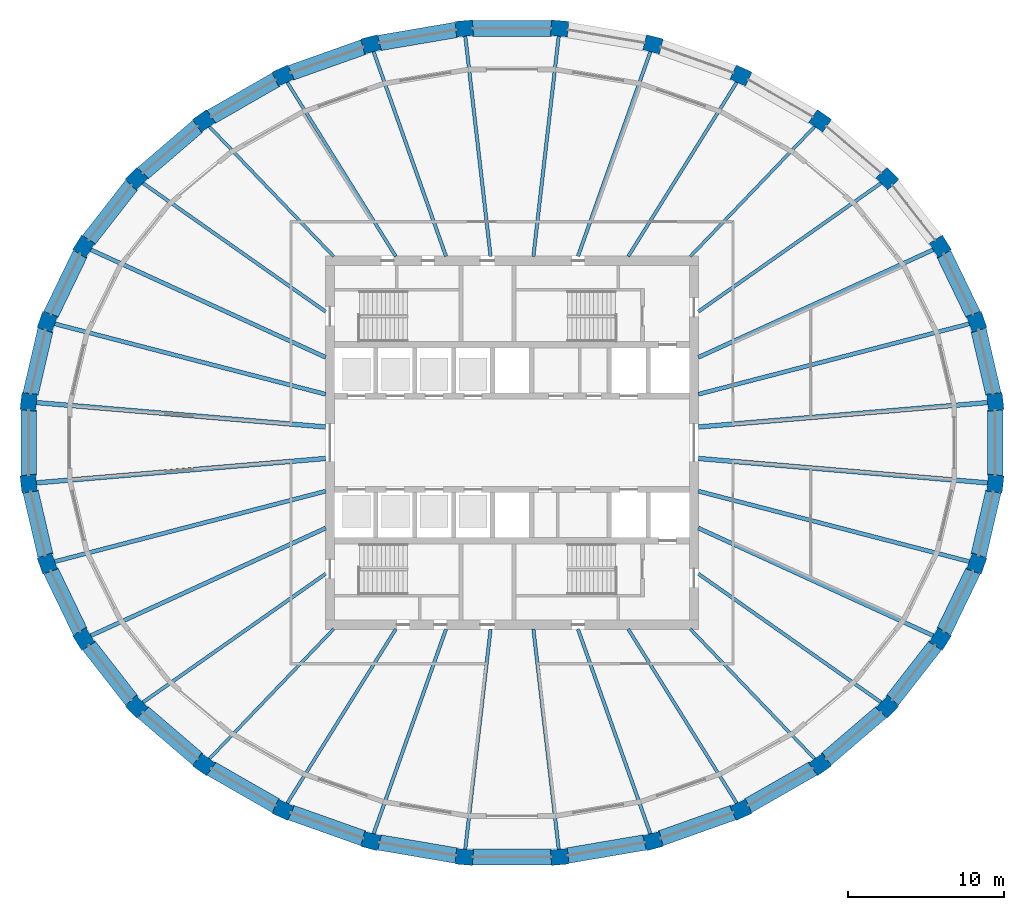
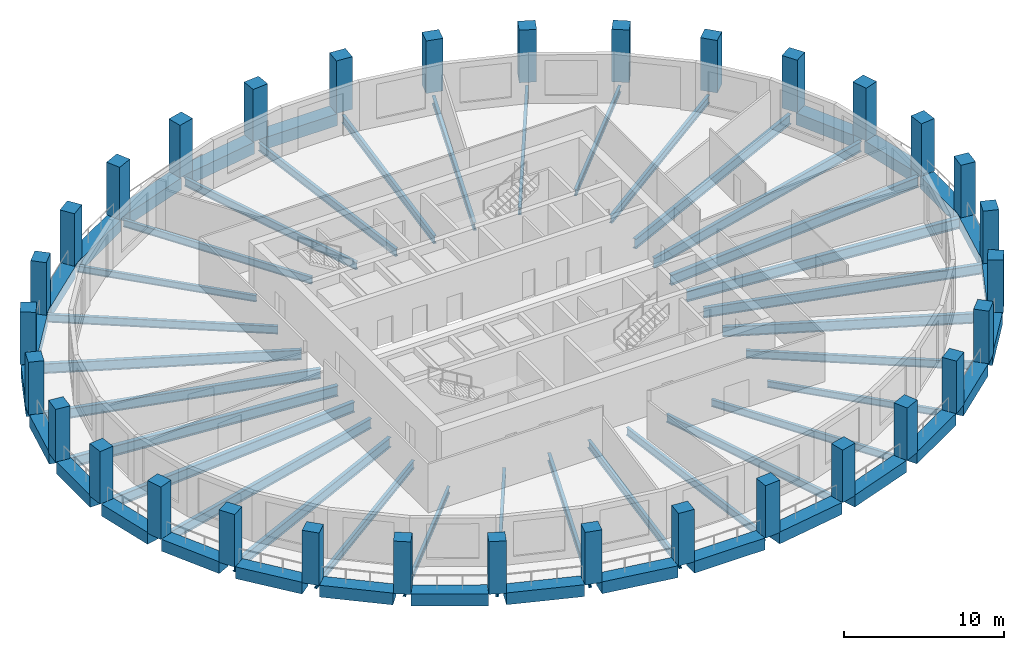
# One storey, part 1 of 10: 59 beams, 32 columns.
"""IFC4 building model written with IfcOpenShell, lengths in metres."""

from ifc_helpers import new_model, si_unit, direction, frame, origin, origin_2d, place, context, subcontext, project, spatial, rectangle, i_section, extrude, material, material_profile, profile_set, type_object, element, save


model = new_model("IFC4")

# Units and contexts
model_context = context("Model", 3, precision=1e-05, world=origin(), true_north=direction((0.0, 1.0)))
body_context = subcontext(model_context, "Body", "Model", "MODEL_VIEW")
ifc_project = project(units=[si_unit("LENGTHUNIT", "METRE"), si_unit("AREAUNIT", "SQUARE_METRE"), si_unit("VOLUMEUNIT", "CUBIC_METRE"), si_unit("PLANEANGLEUNIT", "RADIAN"), si_unit("MASSUNIT", "GRAM", prefix="KILO")], contexts=[model_context])

# Site, building, storey
site_placement = place(None, origin())
site = spatial("IfcSite", under=ifc_project, at=site_placement, CompositionType="ELEMENT")
building_placement = place(site_placement, origin())
building = spatial("IfcBuilding", under=site, at=building_placement, Name="Halqa Exchange Tower", CompositionType="ELEMENT")
storey_placement = place(building_placement, frame((0.0, 0.0, 238.89990234375)))
storey = spatial("IfcBuildingStorey", under=building, at=storey_placement, Name="L55", CompositionType="ELEMENT", Elevation=238.89990234375)

# Columns
ifc_material_1 = material(Name="Concrete C60/75", Category="concrete")
ifc_material_profile_1 = material_profile(ifc_material_1, rectangle(XDim=1.10009765625, YDim=1.0, at=origin_2d()), Name="1100 x 1000")
ifc_profile_set_1 = profile_set([ifc_material_profile_1], Name="Concrete C60/75")
column_type = type_object("IfcColumnType", Name="RC ring column 1100 x 1000 C60/75", PredefinedType="COLUMN", material=ifc_profile_set_1)
for number, where, z_axis, x_axis, name in (
    (1, (31.060302734375, 2.6220703125, 0.0), (0.0, 0.0, 1.0), (-0.114153454138, 0.993463129114, 0.0), "Ring column 1"),
    (2, (29.86669921875, 7.765625, 0.0), (0.0, 0.0, 1.0), (-0.333624233576, 0.942706142321, 0.0), "Ring column 2"),
    (3, (27.525146484375, 12.61083984375, 0.0), (0.0, 0.0, 1.0), (-0.529147901095, 0.848529609835, 0.0), "Ring column 3"),
    (4, (24.1259765625, 16.97119140625, 0.0), (0.0, 0.0, 1.0), (-0.691578612608, 0.722301199351, 0.0), "Ring column 4"),
    (5, (19.7998046875, 20.679443359375, 0.0), (0.0, 0.0, 1.0), (-0.817904771313, 0.575353617407, 0.0), "Ring column 5"),
    (6, (14.71240234375, 23.593017578125, 0.0), (0.0, 0.0, 1.0), (-0.909125641902, 0.416521988898, 0.0), "Ring column 6"),
    (7, (9.059814453125, 25.60009765625, 0.0), (0.0, 0.0, 1.0), (-0.967819503571, 0.251645402317, 0.0), "Ring column 7"),
    (8, (3.05908203125, 26.623046875, 0.0), (0.0, 0.0, 1.0), (-0.996455518985, 0.084121333105, 0.0), "Ring column 8"),
    (9, (-3.05908203125, 26.623046875, 0.0), (0.0, 0.0, 1.0), (-0.996455518985, -0.084121333105, 0.0), "Ring column 9"),
    (10, (-9.059814453125, 25.60009765625, 0.0), (0.0, 0.0, 1.0), (-0.967819503571, -0.251645402317, 0.0), "Ring column 10"),
    (11, (-14.71240234375, 23.593017578125, 0.0), (0.0, 0.0, 1.0), (-0.909125641902, -0.416521988898, 0.0), "Ring column 11"),
    (12, (-19.7998046875, 20.679443359375, 0.0), (0.0, 0.0, 1.0), (-0.817904771313, -0.575353617407, 0.0), "Ring column 12"),
    (13, (-24.1259765625, 16.97119140625, 0.0), (0.0, 0.0, 1.0), (-0.691578612608, -0.722301199351, 0.0), "Ring column 13"),
    (14, (-27.525146484375, 12.61083984375, 0.0), (0.0, 0.0, 1.0), (-0.529147901095, -0.848529609835, 0.0), "Ring column 14"),
    (15, (-29.86669921875, 7.765625, 0.0), (0.0, 0.0, 1.0), (-0.333624233576, -0.942706142321, 0.0), "Ring column 15"),
    (16, (-31.060302734375, 2.6220703125, 0.0), (0.0, 0.0, 1.0), (-0.114153454138, -0.993463129114, 0.0), "Ring column 16"),
    (17, (-31.060302734375, -2.6220703125, 0.0), (0.0, 0.0, 1.0), (0.114153454138, -0.993463129114, 0.0), "Ring column 17"),
    (18, (-29.86669921875, -7.765625, 0.0), (0.0, 0.0, 1.0), (0.333624233576, -0.942706142321, 0.0), "Ring column 18"),
    (19, (-27.525146484375, -12.61083984375, 0.0), (0.0, 0.0, 1.0), (0.529147901095, -0.848529609835, 0.0), "Ring column 19"),
    (20, (-24.1259765625, -16.97119140625, 0.0), (0.0, 0.0, 1.0), (0.691578612608, -0.722301199351, 0.0), "Ring column 20"),
    (21, (-19.7998046875, -20.679443359375, 0.0), (0.0, 0.0, 1.0), (0.817904771313, -0.575353617407, 0.0), "Ring column 21"),
    (22, (-14.71240234375, -23.593017578125, 0.0), (0.0, 0.0, 1.0), (0.909125641902, -0.416521988898, 0.0), "Ring column 22"),
    (23, (-9.059814453125, -25.60009765625, 0.0), (0.0, 0.0, 1.0), (0.967819503571, -0.251645402317, 0.0), "Ring column 23"),
    (24, (-3.05908203125, -26.623046875, 0.0), (0.0, 0.0, 1.0), (0.996455518985, -0.084121333105, 0.0), "Ring column 24"),
    (25, (3.05908203125, -26.623046875, 0.0), (0.0, 0.0, 1.0), (0.996455518985, 0.084121333105, 0.0), "Ring column 25"),
    (26, (9.059814453125, -25.60009765625, 0.0), (0.0, 0.0, 1.0), (0.967819503571, 0.251645402317, 0.0), "Ring column 26"),
    (27, (14.71240234375, -23.593017578125, 0.0), (0.0, 0.0, 1.0), (0.909125641902, 0.416521988898, 0.0), "Ring column 27"),
    (28, (19.7998046875, -20.679443359375, 0.0), (0.0, 0.0, 1.0), (0.817904771313, 0.575353617407, 0.0), "Ring column 28"),
    (29, (24.1259765625, -16.97119140625, 0.0), (0.0, 0.0, 1.0), (0.691578612608, 0.722301199351, 0.0), "Ring column 29"),
    (30, (27.525146484375, -12.61083984375, 0.0), (0.0, 0.0, 1.0), (0.529147901095, 0.848529609835, 0.0), "Ring column 30"),
    (31, (29.86669921875, -7.765625, 0.0), (0.0, 0.0, 1.0), (0.333624233576, 0.942706142321, 0.0), "Ring column 31"),
    (32, (31.060302734375, -2.6220703125, 0.0), (0.0, 0.0, 1.0), (0.114153454138, 0.993463129114, 0.0), "Ring column 32"),
):
    element("IfcColumn", number, at=place(storey_placement, frame(where, z_axis=z_axis, x_axis=x_axis)), inside=storey, type_object=column_type, Name=name, PredefinedType="COLUMN", context=body_context, shape_type="SweptSolid", body=[
        extrude(rectangle(XDim=1.10009765625, YDim=1.0, at=origin_2d()), origin(), (0.0, 0.0, 1.0), 4.0),
    ])

# Beams
ifc_material_2 = material(Name="Steel S355", Category="steel")
ifc_material_profile_2 = material_profile(ifc_material_2, i_section(OverallWidth=0.300048828125, OverallDepth=0.7900390625, WebThickness=0.014892578125, FlangeThickness=0.028076171875, FilletRadius=0.030029296875, at=origin_2d()), Name="HEA 800")
ifc_profile_set_2 = profile_set([ifc_material_profile_2], Name="Steel S355")
beam_type_1 = type_object("IfcBeamType", Name="Floor beam HEA 800", PredefinedType="BEAM", material=ifc_profile_set_2)
for number, where, z_axis, x_axis, name in (
    (33, (11.972412109375, 1.0107421875, -0.69482421875), (0.996455630381, 0.084120013563, 0.0), (-0.084120013563, 0.996455630381, 0.0), "Radial beam 1"),
    (34, (-11.972412109375, 1.0107421875, -0.69482421875), (-0.996455630381, 0.084120013563, 0.0), (-0.084120013563, -0.996455630381, 0.0), "Radial beam 16"),
    (35, (-11.972412109375, -1.0107421875, -0.69482421875), (-0.996455630381, -0.084120013563, 0.0), (0.084120013563, -0.996455630381, 0.0), "Radial beam 17"),
    (36, (11.972412109375, -1.0107421875, -0.69482421875), (0.996455630381, -0.084120013563, 0.0), (0.084120013563, 0.996455630381, 0.0), "Radial beam 32"),
):
    element("IfcBeam", number, at=place(storey_placement, frame(where, z_axis=z_axis, x_axis=x_axis)), inside=storey, type_object=beam_type_1, Name=name, PredefinedType="BEAM", context=body_context, shape_type="SweptSolid", body=[
        extrude(i_section(OverallWidth=0.300048828125, OverallDepth=0.7900390625, WebThickness=0.014892578125, FlangeThickness=0.028076171875, FilletRadius=0.030029296875, at=origin_2d()), origin(), (0.0, 0.0, 1.0), 18.78369140625),
    ])
ifc_material_profile_3 = material_profile(ifc_material_2, i_section(OverallWidth=0.199951171875, OverallDepth=0.5, WebThickness=0.01025390625, FlangeThickness=0.01611328125, FilletRadius=0.02099609375, at=origin_2d()), Name="IPE 500")
ifc_profile_set_3 = profile_set([ifc_material_profile_3], Name="Steel S355")
beam_type_2 = type_object("IfcBeamType", Name="Floor beam IPE 500", PredefinedType="BEAM", material=ifc_profile_set_3)
for number, where, z_axis, x_axis, name in (
    (37, (11.46337890625, 11.972900390625, -0.5498046875), (0.691584726841, 0.722295345133, 0.0), (-0.722295345133, 0.691584726841, 0.0), "Radial beam 5"),
    (38, (-11.46337890625, 11.972900390625, -0.5498046875), (-0.691584726841, 0.722295345133, 0.0), (-0.722295345133, -0.691584726841, 0.0), "Radial beam 12"),
    (39, (-11.46337890625, -11.972900390625, -0.5498046875), (-0.691584726841, -0.722295345133, 0.0), (0.722295345133, -0.691584726841, 0.0), "Radial beam 21"),
    (40, (11.46337890625, -11.972900390625, -0.5498046875), (0.691584726841, -0.722295345133, 0.0), (0.722295345133, 0.691584726841, 0.0), "Radial beam 28"),
):
    element("IfcBeam", number, at=place(storey_placement, frame(where, z_axis=z_axis, x_axis=x_axis)), inside=storey, type_object=beam_type_2, Name=name, PredefinedType="BEAM", context=body_context, shape_type="SweptSolid", body=[
        extrude(i_section(OverallWidth=0.199951171875, OverallDepth=0.5, WebThickness=0.01025390625, FlangeThickness=0.01611328125, FilletRadius=0.02099609375, at=origin_2d()), origin(), (0.0, 0.0, 1.0), 11.67822265625),
    ])
ifc_material_profile_4 = material_profile(ifc_material_2, i_section(OverallWidth=0.2099609375, OverallDepth=0.550048828125, WebThickness=0.010986328125, FlangeThickness=0.01708984375, FilletRadius=0.02392578125, at=origin_2d()), Name="IPE 550")
ifc_profile_set_4 = profile_set([ifc_material_profile_4], Name="Steel S355")
beam_type_3 = type_object("IfcBeamType", Name="Floor beam IPE 550", PredefinedType="BEAM", material=ifc_profile_set_4)
for number, where, z_axis, x_axis, name in (
    (41, (7.46533203125, 11.971435546875, -0.574951171875), (0.529128772744, 0.848541538084, 0.0), (-0.848541538084, 0.529128772744, 0.0), "Radial beam 6"),
    (42, (-7.46533203125, 11.971435546875, -0.574951171875), (-0.529128772744, 0.848541538084, 0.0), (-0.848541538084, -0.529128772744, 0.0), "Radial beam 11"),
    (43, (-7.46533203125, -11.971435546875, -0.574951171875), (-0.529128772744, -0.848541538084, 0.0), (0.848541538084, -0.529128772744, 0.0), "Radial beam 22"),
    (44, (7.46533203125, -11.971435546875, -0.574951171875), (0.529128772744, -0.848541538084, 0.0), (0.848541538084, 0.529128772744, 0.0), "Radial beam 27"),
):
    element("IfcBeam", number, at=place(storey_placement, frame(where, z_axis=z_axis, x_axis=x_axis)), inside=storey, type_object=beam_type_3, Name=name, PredefinedType="BEAM", context=body_context, shape_type="SweptSolid", body=[
        extrude(i_section(OverallWidth=0.2099609375, OverallDepth=0.550048828125, WebThickness=0.010986328125, FlangeThickness=0.01708984375, FilletRadius=0.02392578125, at=origin_2d()), origin(), (0.0, 0.0, 1.0), 13.320068359375),
    ])
ifc_material_profile_5 = material_profile(ifc_material_2, i_section(OverallWidth=0.219970703125, OverallDepth=0.60009765625, WebThickness=0.011962890625, FlangeThickness=0.01904296875, FilletRadius=0.02392578125, at=origin_2d()), Name="IPE 600")
ifc_profile_set_5 = profile_set([ifc_material_profile_5], Name="Steel S355")
beam_type_4 = type_object("IfcBeamType", Name="Floor beam IPE 600", PredefinedType="BEAM", material=ifc_profile_set_5)
beam_1_placement = place(storey_placement, frame((11.972412109375, 8.421875, -0.599853515625), z_axis=(0.817910421288, 0.575345585495, 0.0), x_axis=(-0.575345585495, 0.817910421288, 0.0)))
element("IfcBeam", 45, at=beam_1_placement, inside=storey, type_object=beam_type_4, Name="Radial beam 4", PredefinedType="BEAM", context=body_context, shape_type="SweptSolid", body=[
    extrude(i_section(OverallWidth=0.219970703125, OverallDepth=0.60009765625, WebThickness=0.011962890625, FlangeThickness=0.01904296875, FilletRadius=0.02392578125, at=origin_2d()), origin(), (0.0, 0.0, 1.0), 14.4833984375),
])
beam_2_placement = place(storey_placement, frame((4.23681640625, 11.9716796875, -0.599853515625), z_axis=(0.333623449979, 0.942706419637, 0.0), x_axis=(-0.942706419637, 0.333623449979, 0.0)))
element("IfcBeam", 46, at=beam_2_placement, inside=storey, type_object=beam_type_4, Name="Radial beam 7", PredefinedType="BEAM", context=body_context, shape_type="SweptSolid", body=[
    extrude(i_section(OverallWidth=0.219970703125, OverallDepth=0.60009765625, WebThickness=0.011962890625, FlangeThickness=0.01904296875, FilletRadius=0.02392578125, at=origin_2d()), origin(), (0.0, 0.0, 1.0), 14.08251953125),
])
for number, where, z_axis, x_axis, name in (
    (47, (1.375732421875, 11.972412109375, -0.599853515625), (0.114147707136, 0.993463789454, 0.0), (-0.993463789454, 0.114147707136, 0.0), "Radial beam 8"),
    (48, (-1.375732421875, 11.972412109375, -0.599853515625), (-0.114147707136, 0.993463789454, 0.0), (-0.993463789454, -0.114147707136, 0.0), "Radial beam 9"),
):
    element("IfcBeam", number, at=place(storey_placement, frame(where, z_axis=z_axis, x_axis=x_axis)), inside=storey, type_object=beam_type_4, Name=name, PredefinedType="BEAM", context=body_context, shape_type="SweptSolid", body=[
        extrude(i_section(OverallWidth=0.219970703125, OverallDepth=0.60009765625, WebThickness=0.011962890625, FlangeThickness=0.01904296875, FilletRadius=0.02392578125, at=origin_2d()), origin(), (0.0, 0.0, 1.0), 14.375),
    ])
beam_3_placement = place(storey_placement, frame((-4.23681640625, 11.9716796875, -0.599853515625), z_axis=(-0.333623449979, 0.942706419637, 0.0), x_axis=(-0.942706419637, -0.333623449979, 0.0)))
element("IfcBeam", 49, at=beam_3_placement, inside=storey, type_object=beam_type_4, Name="Radial beam 10", PredefinedType="BEAM", context=body_context, shape_type="SweptSolid", body=[
    extrude(i_section(OverallWidth=0.219970703125, OverallDepth=0.60009765625, WebThickness=0.011962890625, FlangeThickness=0.01904296875, FilletRadius=0.02392578125, at=origin_2d()), origin(), (0.0, 0.0, 1.0), 14.08251953125),
])
for number, where, z_axis, x_axis, name in (
    (50, (-11.972412109375, 8.421875, -0.599853515625), (-0.817910421288, 0.575345585495, 0.0), (-0.575345585495, -0.817910421288, 0.0), "Radial beam 13"),
    (51, (-11.972412109375, -8.421875, -0.599853515625), (-0.817910421288, -0.575345585495, 0.0), (0.575345585495, -0.817910421288, 0.0), "Radial beam 20"),
):
    element("IfcBeam", number, at=place(storey_placement, frame(where, z_axis=z_axis, x_axis=x_axis)), inside=storey, type_object=beam_type_4, Name=name, PredefinedType="BEAM", context=body_context, shape_type="SweptSolid", body=[
        extrude(i_section(OverallWidth=0.219970703125, OverallDepth=0.60009765625, WebThickness=0.011962890625, FlangeThickness=0.01904296875, FilletRadius=0.02392578125, at=origin_2d()), origin(), (0.0, 0.0, 1.0), 14.4833984375),
    ])
beam_4_placement = place(storey_placement, frame((-4.23681640625, -11.9716796875, -0.599853515625), z_axis=(-0.333623449979, -0.942706419637, 0.0), x_axis=(0.942706419637, -0.333623449979, 0.0)))
element("IfcBeam", 52, at=beam_4_placement, inside=storey, type_object=beam_type_4, Name="Radial beam 23", PredefinedType="BEAM", context=body_context, shape_type="SweptSolid", body=[
    extrude(i_section(OverallWidth=0.219970703125, OverallDepth=0.60009765625, WebThickness=0.011962890625, FlangeThickness=0.01904296875, FilletRadius=0.02392578125, at=origin_2d()), origin(), (0.0, 0.0, 1.0), 14.08251953125),
])
for number, where, z_axis, x_axis, name in (
    (53, (-1.375732421875, -11.972412109375, -0.599853515625), (-0.114147707136, -0.993463789454, 0.0), (0.993463789454, -0.114147707136, 0.0), "Radial beam 24"),
    (54, (1.375732421875, -11.972412109375, -0.599853515625), (0.114147707136, -0.993463789454, 0.0), (0.993463789454, 0.114147707136, 0.0), "Radial beam 25"),
):
    element("IfcBeam", number, at=place(storey_placement, frame(where, z_axis=z_axis, x_axis=x_axis)), inside=storey, type_object=beam_type_4, Name=name, PredefinedType="BEAM", context=body_context, shape_type="SweptSolid", body=[
        extrude(i_section(OverallWidth=0.219970703125, OverallDepth=0.60009765625, WebThickness=0.011962890625, FlangeThickness=0.01904296875, FilletRadius=0.02392578125, at=origin_2d()), origin(), (0.0, 0.0, 1.0), 14.375),
    ])
beam_5_placement = place(storey_placement, frame((4.23681640625, -11.9716796875, -0.599853515625), z_axis=(0.333623449979, -0.942706419637, 0.0), x_axis=(0.942706419637, 0.333623449979, 0.0)))
element("IfcBeam", 55, at=beam_5_placement, inside=storey, type_object=beam_type_4, Name="Radial beam 26", PredefinedType="BEAM", context=body_context, shape_type="SweptSolid", body=[
    extrude(i_section(OverallWidth=0.219970703125, OverallDepth=0.60009765625, WebThickness=0.011962890625, FlangeThickness=0.01904296875, FilletRadius=0.02392578125, at=origin_2d()), origin(), (0.0, 0.0, 1.0), 14.08251953125),
])
beam_6_placement = place(storey_placement, frame((11.972412109375, -8.421875, -0.599853515625), z_axis=(0.817910421288, -0.575345585495, 0.0), x_axis=(0.575345585495, 0.817910421288, 0.0)))
element("IfcBeam", 56, at=beam_6_placement, inside=storey, type_object=beam_type_4, Name="Radial beam 29", PredefinedType="BEAM", context=body_context, shape_type="SweptSolid", body=[
    extrude(i_section(OverallWidth=0.219970703125, OverallDepth=0.60009765625, WebThickness=0.011962890625, FlangeThickness=0.01904296875, FilletRadius=0.02392578125, at=origin_2d()), origin(), (0.0, 0.0, 1.0), 14.4833984375),
])
ifc_material_profile_6 = material_profile(ifc_material_2, i_section(OverallWidth=0.264892578125, OverallDepth=0.7529296875, WebThickness=0.01318359375, FlangeThickness=0.01708984375, FilletRadius=0.01708984375, at=origin_2d()), Name="IPE 750x147")
ifc_profile_set_6 = profile_set([ifc_material_profile_6], Name="Steel S355")
beam_type_5 = type_object("IfcBeamType", Name="Floor beam IPE 750x147", PredefinedType="BEAM", material=ifc_profile_set_6)
beam_7_placement = place(storey_placement, frame((11.97265625, 3.113037109375, -0.676513671875), z_axis=(0.967818764949, 0.251648243015, 0.0), x_axis=(-0.251648243015, 0.967818764949, 0.0)))
element("IfcBeam", 57, at=beam_7_placement, inside=storey, type_object=beam_type_5, Name="Radial beam 2", PredefinedType="BEAM", context=body_context, shape_type="SweptSolid", body=[
    extrude(i_section(OverallWidth=0.264892578125, OverallDepth=0.7529296875, WebThickness=0.01318359375, FlangeThickness=0.01708984375, FilletRadius=0.01708984375, at=origin_2d()), origin(), (0.0, 0.0, 1.0), 18.114990234375),
])
for number, where, z_axis, x_axis, name in (
    (58, (11.972412109375, 5.4853515625, -0.676513671875), (0.909131134199, 0.416510000876, 0.0), (-0.416510000876, 0.909131134199, 0.0), "Radial beam 3"),
    (59, (-11.972412109375, 5.4853515625, -0.676513671875), (-0.909131134199, 0.416510000876, 0.0), (-0.416510000876, -0.909131134199, 0.0), "Radial beam 14"),
):
    element("IfcBeam", number, at=place(storey_placement, frame(where, z_axis=z_axis, x_axis=x_axis)), inside=storey, type_object=beam_type_5, Name=name, PredefinedType="BEAM", context=body_context, shape_type="SweptSolid", body=[
        extrude(i_section(OverallWidth=0.264892578125, OverallDepth=0.7529296875, WebThickness=0.01318359375, FlangeThickness=0.01708984375, FilletRadius=0.01708984375, at=origin_2d()), origin(), (0.0, 0.0, 1.0), 16.731201171875),
    ])
for number, where, z_axis, x_axis, name in (
    (60, (-11.97265625, 3.113037109375, -0.676513671875), (-0.967818764949, 0.251648243015, 0.0), (-0.251648243015, -0.967818764949, 0.0), "Radial beam 15"),
    (61, (-11.97265625, -3.113037109375, -0.676513671875), (-0.967818764949, -0.251648243015, 0.0), (0.251648243015, -0.967818764949, 0.0), "Radial beam 18"),
):
    element("IfcBeam", number, at=place(storey_placement, frame(where, z_axis=z_axis, x_axis=x_axis)), inside=storey, type_object=beam_type_5, Name=name, PredefinedType="BEAM", context=body_context, shape_type="SweptSolid", body=[
        extrude(i_section(OverallWidth=0.264892578125, OverallDepth=0.7529296875, WebThickness=0.01318359375, FlangeThickness=0.01708984375, FilletRadius=0.01708984375, at=origin_2d()), origin(), (0.0, 0.0, 1.0), 18.114990234375),
    ])
for number, where, z_axis, x_axis, name in (
    (62, (-11.972412109375, -5.4853515625, -0.676513671875), (-0.909131134199, -0.416510000876, 0.0), (0.416510000876, -0.909131134199, 0.0), "Radial beam 19"),
    (63, (11.972412109375, -5.4853515625, -0.676513671875), (0.909131134199, -0.416510000876, 0.0), (0.416510000876, 0.909131134199, 0.0), "Radial beam 30"),
):
    element("IfcBeam", number, at=place(storey_placement, frame(where, z_axis=z_axis, x_axis=x_axis)), inside=storey, type_object=beam_type_5, Name=name, PredefinedType="BEAM", context=body_context, shape_type="SweptSolid", body=[
        extrude(i_section(OverallWidth=0.264892578125, OverallDepth=0.7529296875, WebThickness=0.01318359375, FlangeThickness=0.01708984375, FilletRadius=0.01708984375, at=origin_2d()), origin(), (0.0, 0.0, 1.0), 16.731201171875),
    ])
beam_8_placement = place(storey_placement, frame((11.97265625, -3.113037109375, -0.676513671875), z_axis=(0.967818764949, -0.251648243015, 0.0), x_axis=(0.251648243015, 0.967818764949, 0.0)))
element("IfcBeam", 64, at=beam_8_placement, inside=storey, type_object=beam_type_5, Name="Radial beam 31", PredefinedType="BEAM", context=body_context, shape_type="SweptSolid", body=[
    extrude(i_section(OverallWidth=0.264892578125, OverallDepth=0.7529296875, WebThickness=0.01318359375, FlangeThickness=0.01708984375, FilletRadius=0.01708984375, at=origin_2d()), origin(), (0.0, 0.0, 1.0), 18.114990234375),
])
ifc_material_profile_7 = material_profile(ifc_material_1, rectangle(XDim=1.0, YDim=0.89990234375, at=origin_2d()), Name="1000 x 900")
ifc_profile_set_7 = profile_set([ifc_material_profile_7], Name="Concrete C60/75")
beam_type_6 = type_object("IfcBeamType", Name="RC spandrel beam 1000 x 900 C60/75", PredefinedType="SPANDREL", material=ifc_profile_set_7)
beam_9_placement = place(storey_placement, frame((30.941650390625, 3.13330078125, -0.449951171875), z_axis=(-0.226039726133, 0.974118084325, 0.0), x_axis=(-0.974118084325, -0.226039726133, 0.0)))
element("IfcBeam", 65, at=beam_9_placement, inside=storey, type_object=beam_type_6, Name="Spandrel 1", PredefinedType="SPANDREL", context=body_context, shape_type="SweptSolid", body=[
    extrude(rectangle(XDim=1.0, YDim=0.89990234375, at=origin_2d()), origin(), (0.0, 0.0, 1.0), 4.2294921875),
])
beam_10_placement = place(storey_placement, frame((29.63818359375, 8.238525390625, -0.449951171875), z_axis=(-0.435106956981, 0.900378773621, 0.0), x_axis=(-0.900378773621, -0.435106956981, 0.0)))
element("IfcBeam", 66, at=beam_10_placement, inside=storey, type_object=beam_type_6, Name="Spandrel 2", PredefinedType="SPANDREL", context=body_context, shape_type="SweptSolid", body=[
    extrude(rectangle(XDim=1.0, YDim=0.89990234375, at=origin_2d()), origin(), (0.0, 0.0, 1.0), 4.330078125),
])
beam_11_placement = place(storey_placement, frame((2.535400390625, 26.623046875, -0.449951171875), z_axis=(-1.0, 0.0, 0.0), x_axis=(0.0, -1.0, 0.0)))
element("IfcBeam", 67, at=beam_11_placement, inside=storey, type_object=beam_type_6, Name="Spandrel 8", PredefinedType="SPANDREL", context=body_context, shape_type="SweptSolid", body=[
    extrude(rectangle(XDim=1.0, YDim=0.89990234375, at=origin_2d()), origin(), (0.0, 0.0, 1.0), 5.07080078125),
])
beam_12_placement = place(storey_placement, frame((-3.57568359375, 26.534912109375, -0.449951171875), z_axis=(-0.985775605401, -0.16806681944, 0.0), x_axis=(0.16806681944, -0.985775605401, 0.0)))
element("IfcBeam", 68, at=beam_12_placement, inside=storey, type_object=beam_type_6, Name="Spandrel 9", PredefinedType="SPANDREL", context=body_context, shape_type="SweptSolid", body=[
    extrude(rectangle(XDim=1.0, YDim=0.89990234375, at=origin_2d()), origin(), (0.0, 0.0, 1.0), 5.039306640625),
])
beam_13_placement = place(storey_placement, frame((-9.554443359375, 25.42431640625, -0.449951171875), z_axis=(-0.94237407927, -0.334561047822, 0.0), x_axis=(0.334561047822, -0.94237407927, 0.0)))
element("IfcBeam", 69, at=beam_13_placement, inside=storey, type_object=beam_type_6, Name="Spandrel 10", PredefinedType="SPANDREL", context=body_context, shape_type="SweptSolid", body=[
    extrude(rectangle(XDim=1.0, YDim=0.89990234375, at=origin_2d()), origin(), (0.0, 0.0, 1.0), 4.94970703125),
])
beam_14_placement = place(storey_placement, frame((-15.167724609375, 23.33251953125, -0.449951171875), z_axis=(-0.8677465318, -0.497006998491, 0.0), x_axis=(0.497006998491, -0.8677465318, 0.0)))
element("IfcBeam", 70, at=beam_14_placement, inside=storey, type_object=beam_type_6, Name="Spandrel 11", PredefinedType="SPANDREL", context=body_context, shape_type="SweptSolid", body=[
    extrude(rectangle(XDim=1.0, YDim=0.89990234375, at=origin_2d()), origin(), (0.0, 0.0, 1.0), 4.814453125),
])
beam_15_placement = place(storey_placement, frame((-20.197998046875, 20.337890625, -0.449951171875), z_axis=(-0.759267722395, -0.650778399864, 0.0), x_axis=(0.650778399864, -0.759267722395, 0.0)))
element("IfcBeam", 71, at=beam_15_placement, inside=storey, type_object=beam_type_6, Name="Spandrel 12", PredefinedType="SPANDREL", context=body_context, shape_type="SweptSolid", body=[
    extrude(rectangle(XDim=1.0, YDim=0.89990234375, at=origin_2d()), origin(), (0.0, 0.0, 1.0), 4.649169921875),
])
beam_16_placement = place(storey_placement, frame((-24.448974609375, 16.556884765625, -0.449951171875), z_axis=(-0.614827074471, -0.788661948174, 0.0), x_axis=(0.788661948174, -0.614827074471, 0.0)))
element("IfcBeam", 72, at=beam_16_placement, inside=storey, type_object=beam_type_6, Name="Spandrel 13", PredefinedType="SPANDREL", context=body_context, shape_type="SweptSolid", body=[
    extrude(rectangle(XDim=1.0, YDim=0.89990234375, at=origin_2d()), origin(), (0.0, 0.0, 1.0), 4.478759765625),
])
beam_17_placement = place(storey_placement, frame((-27.754150390625, 12.13720703125, -0.449951171875), z_axis=(-0.435106956981, -0.900378773621, 0.0), x_axis=(0.900378773621, -0.435106956981, 0.0)))
element("IfcBeam", 73, at=beam_17_placement, inside=storey, type_object=beam_type_6, Name="Spandrel 14", PredefinedType="SPANDREL", context=body_context, shape_type="SweptSolid", body=[
    extrude(rectangle(XDim=1.0, YDim=0.89990234375, at=origin_2d()), origin(), (0.0, 0.0, 1.0), 4.330078125),
])
beam_18_placement = place(storey_placement, frame((-29.985595703125, 7.25341796875, -0.449951171875), z_axis=(-0.226039726133, -0.974118084325, 0.0), x_axis=(0.974118084325, -0.226039726133, 0.0)))
element("IfcBeam", 74, at=beam_18_placement, inside=storey, type_object=beam_type_6, Name="Spandrel 15", PredefinedType="SPANDREL", context=body_context, shape_type="SweptSolid", body=[
    extrude(rectangle(XDim=1.0, YDim=0.89990234375, at=origin_2d()), origin(), (0.0, 0.0, 1.0), 4.2294921875),
])
beam_19_placement = place(storey_placement, frame((-31.060302734375, 2.09716796875, -0.449951171875), z_axis=(0.0, -1.0, 0.0), x_axis=(1.0, 0.0, 0.0)))
element("IfcBeam", 75, at=beam_19_placement, inside=storey, type_object=beam_type_6, Name="Spandrel 16", PredefinedType="SPANDREL", context=body_context, shape_type="SweptSolid", body=[
    extrude(rectangle(XDim=1.0, YDim=0.89990234375, at=origin_2d()), origin(), (0.0, 0.0, 1.0), 4.1943359375),
])
beam_20_placement = place(storey_placement, frame((-30.941650390625, -3.13330078125, -0.449951171875), z_axis=(0.226039726133, -0.974118084325, 0.0), x_axis=(0.974118084325, 0.226039726133, 0.0)))
element("IfcBeam", 76, at=beam_20_placement, inside=storey, type_object=beam_type_6, Name="Spandrel 17", PredefinedType="SPANDREL", context=body_context, shape_type="SweptSolid", body=[
    extrude(rectangle(XDim=1.0, YDim=0.89990234375, at=origin_2d()), origin(), (0.0, 0.0, 1.0), 4.2294921875),
])
beam_21_placement = place(storey_placement, frame((-29.63818359375, -8.238525390625, -0.449951171875), z_axis=(0.435106956981, -0.900378773621, 0.0), x_axis=(0.900378773621, 0.435106956981, 0.0)))
element("IfcBeam", 77, at=beam_21_placement, inside=storey, type_object=beam_type_6, Name="Spandrel 18", PredefinedType="SPANDREL", context=body_context, shape_type="SweptSolid", body=[
    extrude(rectangle(XDim=1.0, YDim=0.89990234375, at=origin_2d()), origin(), (0.0, 0.0, 1.0), 4.330078125),
])
beam_22_placement = place(storey_placement, frame((-27.20263671875, -13.024658203125, -0.449951171875), z_axis=(0.614827074471, -0.788661948174, 0.0), x_axis=(0.788661948174, 0.614827074471, 0.0)))
element("IfcBeam", 78, at=beam_22_placement, inside=storey, type_object=beam_type_6, Name="Spandrel 19", PredefinedType="SPANDREL", context=body_context, shape_type="SweptSolid", body=[
    extrude(rectangle(XDim=1.0, YDim=0.89990234375, at=origin_2d()), origin(), (0.0, 0.0, 1.0), 4.478759765625),
])
beam_23_placement = place(storey_placement, frame((-23.72802734375, -17.312255859375, -0.449951171875), z_axis=(0.759267722395, -0.650778399864, 0.0), x_axis=(0.650778399864, 0.759267722395, 0.0)))
element("IfcBeam", 79, at=beam_23_placement, inside=storey, type_object=beam_type_6, Name="Spandrel 20", PredefinedType="SPANDREL", context=body_context, shape_type="SweptSolid", body=[
    extrude(rectangle(XDim=1.0, YDim=0.89990234375, at=origin_2d()), origin(), (0.0, 0.0, 1.0), 4.649169921875),
])
beam_24_placement = place(storey_placement, frame((-19.345458984375, -20.939697265625, -0.449951171875), z_axis=(0.8677465318, -0.497006998491, 0.0), x_axis=(0.497006998491, 0.8677465318, 0.0)))
element("IfcBeam", 80, at=beam_24_placement, inside=storey, type_object=beam_type_6, Name="Spandrel 21", PredefinedType="SPANDREL", context=body_context, shape_type="SweptSolid", body=[
    extrude(rectangle(XDim=1.0, YDim=0.89990234375, at=origin_2d()), origin(), (0.0, 0.0, 1.0), 4.814453125),
])
beam_25_placement = place(storey_placement, frame((-14.218994140625, -23.768310546875, -0.449951171875), z_axis=(0.94237407927, -0.334561047822, 0.0), x_axis=(0.334561047822, 0.94237407927, 0.0)))
element("IfcBeam", 81, at=beam_25_placement, inside=storey, type_object=beam_type_6, Name="Spandrel 22", PredefinedType="SPANDREL", context=body_context, shape_type="SweptSolid", body=[
    extrude(rectangle(XDim=1.0, YDim=0.89990234375, at=origin_2d()), origin(), (0.0, 0.0, 1.0), 4.94970703125),
])
beam_26_placement = place(storey_placement, frame((-8.543212890625, -25.68798828125, -0.449951171875), z_axis=(0.985775605401, -0.16806681944, 0.0), x_axis=(0.16806681944, 0.985775605401, 0.0)))
element("IfcBeam", 82, at=beam_26_placement, inside=storey, type_object=beam_type_6, Name="Spandrel 23", PredefinedType="SPANDREL", context=body_context, shape_type="SweptSolid", body=[
    extrude(rectangle(XDim=1.0, YDim=0.89990234375, at=origin_2d()), origin(), (0.0, 0.0, 1.0), 5.039306640625),
])
beam_27_placement = place(storey_placement, frame((-2.535400390625, -26.623046875, -0.449951171875), z_axis=(1.0, 0.0, 0.0), x_axis=(0.0, 1.0, 0.0)))
element("IfcBeam", 83, at=beam_27_placement, inside=storey, type_object=beam_type_6, Name="Spandrel 24", PredefinedType="SPANDREL", context=body_context, shape_type="SweptSolid", body=[
    extrude(rectangle(XDim=1.0, YDim=0.89990234375, at=origin_2d()), origin(), (0.0, 0.0, 1.0), 5.07080078125),
])
beam_28_placement = place(storey_placement, frame((3.57568359375, -26.534912109375, -0.449951171875), z_axis=(0.985775605401, 0.16806681944, 0.0), x_axis=(-0.16806681944, 0.985775605401, 0.0)))
element("IfcBeam", 84, at=beam_28_placement, inside=storey, type_object=beam_type_6, Name="Spandrel 25", PredefinedType="SPANDREL", context=body_context, shape_type="SweptSolid", body=[
    extrude(rectangle(XDim=1.0, YDim=0.89990234375, at=origin_2d()), origin(), (0.0, 0.0, 1.0), 5.039306640625),
])
beam_29_placement = place(storey_placement, frame((9.554443359375, -25.42431640625, -0.449951171875), z_axis=(0.94237407927, 0.334561047822, 0.0), x_axis=(-0.334561047822, 0.94237407927, 0.0)))
element("IfcBeam", 85, at=beam_29_placement, inside=storey, type_object=beam_type_6, Name="Spandrel 26", PredefinedType="SPANDREL", context=body_context, shape_type="SweptSolid", body=[
    extrude(rectangle(XDim=1.0, YDim=0.89990234375, at=origin_2d()), origin(), (0.0, 0.0, 1.0), 4.94970703125),
])
beam_30_placement = place(storey_placement, frame((15.167724609375, -23.33251953125, -0.449951171875), z_axis=(0.8677465318, 0.497006998491, 0.0), x_axis=(-0.497006998491, 0.8677465318, 0.0)))
element("IfcBeam", 86, at=beam_30_placement, inside=storey, type_object=beam_type_6, Name="Spandrel 27", PredefinedType="SPANDREL", context=body_context, shape_type="SweptSolid", body=[
    extrude(rectangle(XDim=1.0, YDim=0.89990234375, at=origin_2d()), origin(), (0.0, 0.0, 1.0), 4.814453125),
])
beam_31_placement = place(storey_placement, frame((20.197998046875, -20.337890625, -0.449951171875), z_axis=(0.759267722395, 0.650778399864, 0.0), x_axis=(-0.650778399864, 0.759267722395, 0.0)))
element("IfcBeam", 87, at=beam_31_placement, inside=storey, type_object=beam_type_6, Name="Spandrel 28", PredefinedType="SPANDREL", context=body_context, shape_type="SweptSolid", body=[
    extrude(rectangle(XDim=1.0, YDim=0.89990234375, at=origin_2d()), origin(), (0.0, 0.0, 1.0), 4.649169921875),
])
beam_32_placement = place(storey_placement, frame((24.448974609375, -16.556884765625, -0.449951171875), z_axis=(0.614827074471, 0.788661948174, 0.0), x_axis=(-0.788661948174, 0.614827074471, 0.0)))
element("IfcBeam", 88, at=beam_32_placement, inside=storey, type_object=beam_type_6, Name="Spandrel 29", PredefinedType="SPANDREL", context=body_context, shape_type="SweptSolid", body=[
    extrude(rectangle(XDim=1.0, YDim=0.89990234375, at=origin_2d()), origin(), (0.0, 0.0, 1.0), 4.478759765625),
])
beam_33_placement = place(storey_placement, frame((27.754150390625, -12.13720703125, -0.449951171875), z_axis=(0.435106956981, 0.900378773621, 0.0), x_axis=(-0.900378773621, 0.435106956981, 0.0)))
element("IfcBeam", 89, at=beam_33_placement, inside=storey, type_object=beam_type_6, Name="Spandrel 30", PredefinedType="SPANDREL", context=body_context, shape_type="SweptSolid", body=[
    extrude(rectangle(XDim=1.0, YDim=0.89990234375, at=origin_2d()), origin(), (0.0, 0.0, 1.0), 4.330078125),
])
beam_34_placement = place(storey_placement, frame((29.985595703125, -7.25341796875, -0.449951171875), z_axis=(0.226039726133, 0.974118084325, 0.0), x_axis=(-0.974118084325, 0.226039726133, 0.0)))
element("IfcBeam", 90, at=beam_34_placement, inside=storey, type_object=beam_type_6, Name="Spandrel 31", PredefinedType="SPANDREL", context=body_context, shape_type="SweptSolid", body=[
    extrude(rectangle(XDim=1.0, YDim=0.89990234375, at=origin_2d()), origin(), (0.0, 0.0, 1.0), 4.2294921875),
])
beam_35_placement = place(storey_placement, frame((31.060302734375, -2.09716796875, -0.449951171875), z_axis=(0.0, 1.0, 0.0), x_axis=(-1.0, 0.0, 0.0)))
element("IfcBeam", 91, at=beam_35_placement, inside=storey, type_object=beam_type_6, Name="Spandrel 32", PredefinedType="SPANDREL", context=body_context, shape_type="SweptSolid", body=[
    extrude(rectangle(XDim=1.0, YDim=0.89990234375, at=origin_2d()), origin(), (0.0, 0.0, 1.0), 4.1943359375),
])

save(model, "model.ifc")
